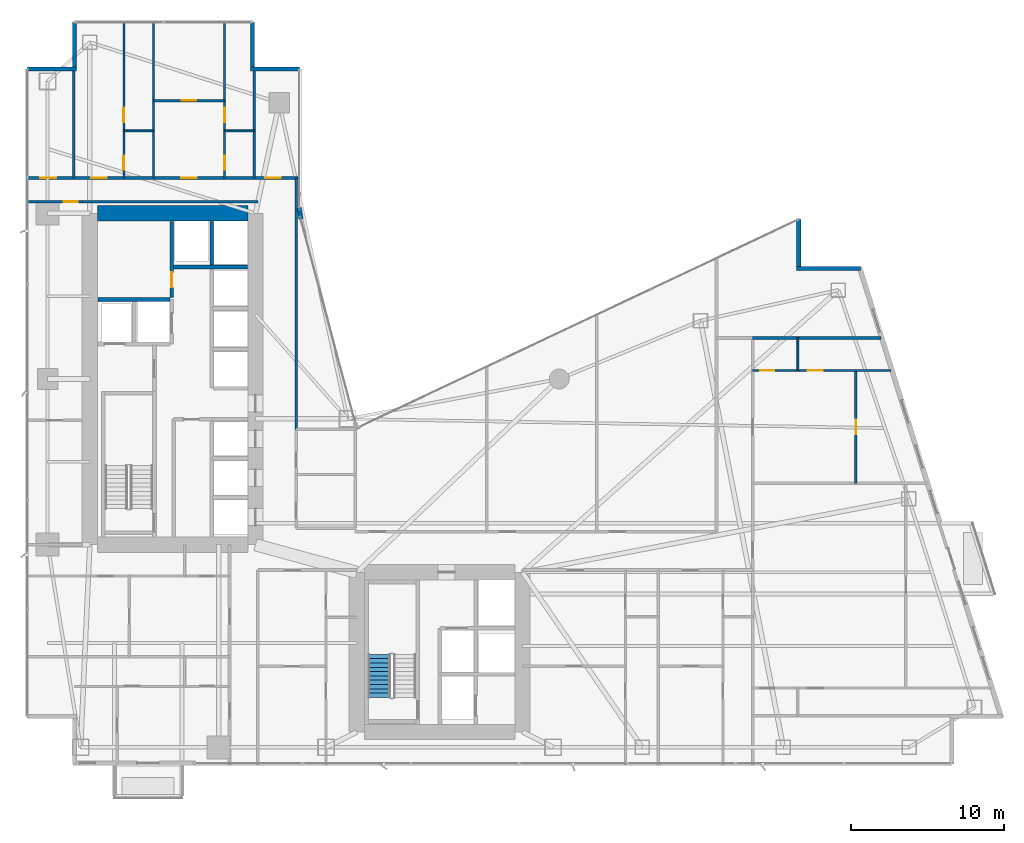
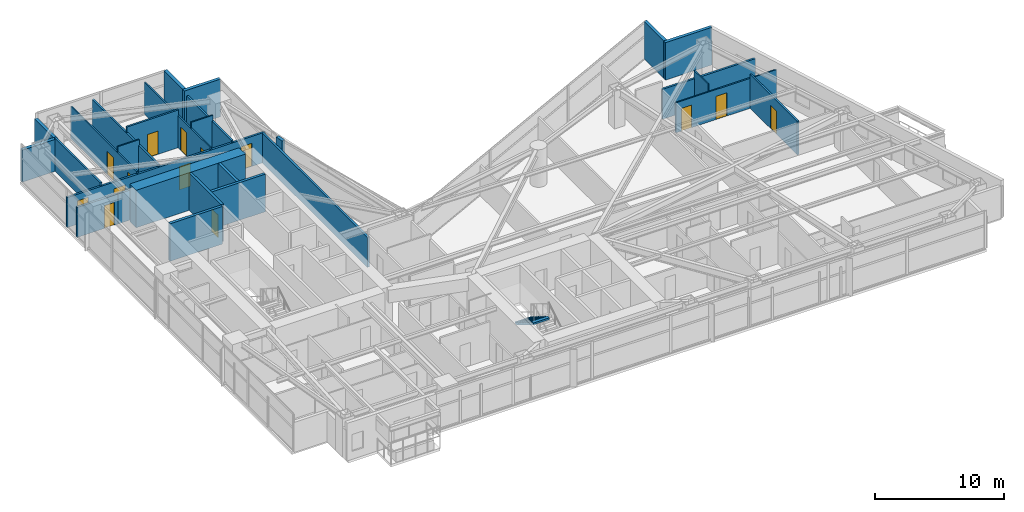
# One storey, part 25 of 29: 28 walls, 14 doors, 1 stair flight, 14 openings, 1 element without a shape of its own.
"""IFC4 building model written with IfcOpenShell, lengths in metres."""

from ifc_helpers import new_model, si_unit, direction, frame, frame_2d, origin, place, context, subcontext, project, spatial, polyline, rectangle, outline, extrude, material, layer, layer_set, type_object, element, fill, aggregate, save


model = new_model("IFC4")

# Units and contexts
model_context = context("Model", 3, precision=1e-05, world=origin(), true_north=direction((0.0, 1.0)))
body_context = subcontext(model_context, "Body", "Model", "MODEL_VIEW")
ifc_project = project(units=[si_unit("LENGTHUNIT", "METRE"), si_unit("AREAUNIT", "SQUARE_METRE"), si_unit("VOLUMEUNIT", "CUBIC_METRE"), si_unit("PLANEANGLEUNIT", "RADIAN"), si_unit("MASSUNIT", "GRAM", prefix="KILO")], contexts=[model_context])

# Site, building, storey
site_placement = place(None, origin())
site = spatial("IfcSite", under=ifc_project, at=site_placement, CompositionType="ELEMENT")
building_placement = place(site_placement, origin())
building = spatial("IfcBuilding", under=site, at=building_placement, Name="Calvorn Quay Hotel", CompositionType="ELEMENT")
storey_placement = place(building_placement, frame((0.0, 0.0, 34.60009765625)))
storey = spatial("IfcBuildingStorey", under=building, at=storey_placement, Name="L07", CompositionType="ELEMENT", Elevation=34.60009765625)

# Wall
ifc_material_1 = material(Name="Concrete C60", Category="concrete")
ifc_layer_1 = layer(ifc_material_1, 1.0)
ifc_layer_set_1 = layer_set([ifc_layer_1], Name="WL-CORE-1000")
wall_type_1 = type_object("IfcWallType", Name="WL-CORE-1000", PredefinedType="SHEAR", material=ifc_layer_set_1)
wall_1_placement = place(storey_placement, frame((4.699951171875, 38.39990234375, 0.0), z_axis=(0.0, 0.0, 1.0), x_axis=(1.0, 0.0, 0.0)))
element("IfcWall", 1, at=wall_1_placement, inside=storey, type_object=wall_type_1, Name="West Core Shear Wall N (L07)", PredefinedType="SHEAR", context=body_context, shape_type="SweptSolid", body=[
    extrude(rectangle(XDim=9.800048828125, YDim=1.0, at=frame_2d((4.89990234375, 0.0))), origin(), (0.0, 0.0, 1.0), 3.559814453125),
])

# Wall, opening, door
ifc_material_2 = material(Name="Acoustic Fireboard Steel-Stud Partition", Category="steel")
ifc_layer_2 = layer(ifc_material_2, 0.179931640625)
ifc_layer_set_2 = layer_set([ifc_layer_2], Name="WL-CORR-FIRE-180")
wall_type_2 = type_object("IfcWallType", Name="WL-CORR-FIRE-180", PredefinedType="PARTITIONING", material=ifc_layer_set_2)
wall_2_placement = place(storey_placement, frame((0.080078125, 39.14990234375, 0.0), z_axis=(0.0, 0.0, 1.0), x_axis=(1.0, 0.0, 0.0)))
wall_2 = element("IfcWall", 2, at=wall_2_placement, inside=storey, type_object=wall_type_2, Name="Partition Wall L07-WL-WBAY-N-DOOR", PredefinedType="PARTITIONING", context=body_context, shape_type="SweptSolid", body=[
    extrude(rectangle(XDim=3.64990234375, YDim=0.179931640625, at=frame_2d((1.824951171875, 0.0))), origin(), (0.0, 0.0, 1.0), 2.83984375),
])
opening_1_placement = place(wall_2_placement, frame((2.429931640625, 0.0, 0.0)))
opening_1 = element("IfcOpeningElement", 3, at=opening_1_placement, cuts=wall_2, Name="Opening D-L07-WBN", PredefinedType="OPENING", context=body_context, shape_type="SweptSolid", body=[
    extrude(rectangle(XDim=0.89990234375, YDim=2.14990234375, at=frame_2d((0.449951171875, 1.074951171875))), frame((0.0, 0.099853515625, 0.0), z_axis=(0.0, -1.0, 0.0), x_axis=(1.0, 0.0, 0.0)), (0.0, 0.0, 1.0), 0.199951171875),
])
ifc_material_3 = material(Name="Moisture-Sealed Timber En-Suite Door", Category="wood")
door_type_1 = type_object("IfcDoorType", Name="DR-ENSUITE-900", OperationType="NOTDEFINED", PredefinedType="DOOR", material=ifc_material_3)
door_1_placement = place(opening_1_placement, origin())
door_1 = element("IfcDoor", 4, at=door_1_placement, inside=storey, type_object=door_type_1, Name="West North Bay Door (L07)", OperationType="SINGLE_SWING_LEFT", OverallHeight=2.14990234375, OverallWidth=0.89990234375, PredefinedType="DOOR", context=body_context, shape_type="SweptSolid", body=[
    extrude(rectangle(XDim=0.89990234375, YDim=2.14990234375, at=frame_2d((0.449951171875, 1.074951171875))), frame((0.0, 0.02490234375, 0.0), z_axis=(0.0, -1.0, 0.0), x_axis=(1.0, 0.0, 0.0)), (0.0, 0.0, 1.0), 0.050048828125),
])
fill(opening_1, door_1)

# Wall, openings, doors
wall_3_placement = place(storey_placement, frame((0.080078125, 40.699951171875, 0.0), z_axis=(0.0, 0.0, 1.0), x_axis=(1.0, 0.0, 0.0)))
wall_3 = element("IfcWall", 5, at=wall_3_placement, inside=storey, type_object=wall_type_2, Name="Partition Wall L07-WL-CORR-NW-N", PredefinedType="PARTITIONING", context=body_context, shape_type="SweptSolid", body=[
    extrude(rectangle(XDim=17.77001953125, YDim=0.179931640625, at=frame_2d((8.885009765625, 0.0))), origin(), (0.0, 0.0, 1.0), 2.83984375),
])
opening_2_placement = place(wall_3_placement, frame((0.89990234375, 0.0, 0.0)))
opening_2 = element("IfcOpeningElement", 6, at=opening_2_placement, cuts=wall_3, Name="Opening D-L07-NWW", PredefinedType="OPENING", context=body_context, shape_type="SweptSolid", body=[
    extrude(rectangle(XDim=1.02001953125, YDim=2.199951171875, at=frame_2d((0.510009765625, 1.10009765625))), frame((0.0, 0.099853515625, 0.0), z_axis=(0.0, -1.0, 0.0), x_axis=(1.0, 0.0, 0.0)), (0.0, 0.0, 1.0), 0.199951171875),
])
opening_3_placement = place(wall_3_placement, frame((4.199951171875, 0.0, 0.0)))
opening_3 = element("IfcOpeningElement", 7, at=opening_3_placement, cuts=wall_3, Name="Opening D-L07-U04", PredefinedType="OPENING", context=body_context, shape_type="SweptSolid", body=[
    extrude(rectangle(XDim=1.02001953125, YDim=2.199951171875, at=frame_2d((0.510009765625, 1.10009765625))), frame((0.0, 0.099853515625, 0.0), z_axis=(0.0, -1.0, 0.0), x_axis=(1.0, 0.0, 0.0)), (0.0, 0.0, 1.0), 0.199951171875),
])
opening_4_placement = place(wall_3_placement, frame((10.080078125, 0.0, 0.0)))
opening_4 = element("IfcOpeningElement", 8, at=opening_4_placement, cuts=wall_3, Name="Opening D-L07-U05", PredefinedType="OPENING", context=body_context, shape_type="SweptSolid", body=[
    extrude(rectangle(XDim=1.02001953125, YDim=2.199951171875, at=frame_2d((0.510009765625, 1.10009765625))), frame((0.0, 0.099853515625, 0.0), z_axis=(0.0, -1.0, 0.0), x_axis=(1.0, 0.0, 0.0)), (0.0, 0.0, 1.0), 0.199951171875),
])
opening_5_placement = place(wall_3_placement, frame((15.550048828125, 0.0, 0.0)))
opening_5 = element("IfcOpeningElement", 9, at=opening_5_placement, cuts=wall_3, Name="Opening D-L07-NWE", PredefinedType="OPENING", context=body_context, shape_type="SweptSolid", body=[
    extrude(rectangle(XDim=1.02001953125, YDim=2.199951171875, at=frame_2d((0.510009765625, 1.10009765625))), frame((0.0, 0.099853515625, 0.0), z_axis=(0.0, -1.0, 0.0), x_axis=(1.0, 0.0, 0.0)), (0.0, 0.0, 1.0), 0.199951171875),
])
ifc_material_4 = material(Name="Solid-Core Walnut Veneer Hotel Fire Door")
door_type_2 = type_object("IfcDoorType", Name="DR-GUEST-ENTRY-1020", OperationType="NOTDEFINED", PredefinedType="DOOR", material=ifc_material_4)
door_2_placement = place(opening_2_placement, origin())
door_2 = element("IfcDoor", 10, at=door_2_placement, inside=storey, type_object=door_type_2, Name="West Corner Study Door (L07)", OperationType="SINGLE_SWING_LEFT", OverallHeight=2.199951171875, OverallWidth=1.02001953125, PredefinedType="DOOR", context=body_context, shape_type="SweptSolid", body=[
    extrude(rectangle(XDim=1.02001953125, YDim=2.199951171875, at=frame_2d((0.510009765625, 1.10009765625))), frame((0.0, 0.02490234375, 0.0), z_axis=(0.0, -1.0, 0.0), x_axis=(1.0, 0.0, 0.0)), (0.0, 0.0, 1.0), 0.050048828125),
])
fill(opening_2, door_2)
door_3_placement = place(opening_3_placement, origin())
door_3 = element("IfcDoor", 11, at=door_3_placement, inside=storey, type_object=door_type_2, Name="North-West Unit Door U04 (L07)", OperationType="SINGLE_SWING_RIGHT", OverallHeight=2.199951171875, OverallWidth=1.02001953125, PredefinedType="DOOR", context=body_context, shape_type="SweptSolid", body=[
    extrude(rectangle(XDim=1.02001953125, YDim=2.199951171875, at=frame_2d((0.510009765625, 1.10009765625))), frame((0.0, 0.02490234375, 0.0), z_axis=(0.0, -1.0, 0.0), x_axis=(1.0, 0.0, 0.0)), (0.0, 0.0, 1.0), 0.050048828125),
])
fill(opening_3, door_3)
door_4_placement = place(opening_4_placement, origin())
door_4 = element("IfcDoor", 12, at=door_4_placement, inside=storey, type_object=door_type_2, Name="North-West Unit Door U05 (L07)", OperationType="SINGLE_SWING_LEFT", OverallHeight=2.199951171875, OverallWidth=1.02001953125, PredefinedType="DOOR", context=body_context, shape_type="SweptSolid", body=[
    extrude(rectangle(XDim=1.02001953125, YDim=2.199951171875, at=frame_2d((0.510009765625, 1.10009765625))), frame((0.0, 0.02490234375, 0.0), z_axis=(0.0, -1.0, 0.0), x_axis=(1.0, 0.0, 0.0)), (0.0, 0.0, 1.0), 0.050048828125),
])
fill(opening_4, door_4)
door_5_placement = place(opening_5_placement, origin())
door_5 = element("IfcDoor", 13, at=door_5_placement, inside=storey, type_object=door_type_2, Name="Inner Court Study Door (L07)", OperationType="SINGLE_SWING_RIGHT", OverallHeight=2.199951171875, OverallWidth=1.02001953125, PredefinedType="DOOR", context=body_context, shape_type="SweptSolid", body=[
    extrude(rectangle(XDim=1.02001953125, YDim=2.199951171875, at=frame_2d((0.510009765625, 1.10009765625))), frame((0.0, 0.02490234375, 0.0), z_axis=(0.0, -1.0, 0.0), x_axis=(1.0, 0.0, 0.0)), (0.0, 0.0, 1.0), 0.050048828125),
])
fill(opening_5, door_5)

# Walls
wall_4_placement = place(storey_placement, frame((17.64990234375, 24.300048828125, 0.0), z_axis=(0.0, 0.0, 1.0), x_axis=(0.0, 1.0, 0.0)))
element("IfcWall", 14, at=wall_4_placement, inside=storey, type_object=wall_type_2, Name="Partition Wall L07-WL-NW-CLOSURE-E", PredefinedType="PARTITIONING", context=body_context, shape_type="SweptSolid", body=[
    extrude(rectangle(XDim=16.39990234375, YDim=0.179931640625, at=frame_2d((8.199951171875, 0.0))), origin(), (0.0, 0.0, 1.0), 2.83984375),
])
wall_5_placement = place(storey_placement, frame((3.679931640625, 39.14990234375, 0.0), z_axis=(0.0, 0.0, 1.0), x_axis=(1.0, 0.0, 0.0)))
element("IfcWall", 15, at=wall_5_placement, inside=storey, type_object=wall_type_2, Name="Partition Wall L07-WL-W-SPUR-S", PredefinedType="PARTITIONING", context=body_context, shape_type="SweptSolid", body=[
    extrude(rectangle(XDim=11.469970703125, YDim=0.179931640625, at=frame_2d((5.73486328125, 0.0))), origin(), (0.0, 0.0, 1.0), 2.83984375),
])
wall_6_placement = place(storey_placement, frame((47.39990234375, 30.280029296875, 0.0), z_axis=(0.0, 0.0, 1.0), x_axis=(1.0, 0.0, 0.0)))
element("IfcWall", 16, at=wall_6_placement, inside=storey, type_object=wall_type_2, Name="Partition Wall L07-WL-TIP-N", PredefinedType="PARTITIONING", context=body_context, shape_type="SweptSolid", body=[
    extrude(rectangle(XDim=8.360107421875, YDim=0.179931640625, at=frame_2d((4.18017578125, 0.0))), origin(), (0.0, 0.0, 1.0), 2.83984375),
])
ifc_material_5 = material(Name="Moisture-Resistant Tile-Backed Partition")
ifc_layer_3 = layer(ifc_material_5, 0.125)
ifc_layer_set_3 = layer_set([ifc_layer_3], Name="WL-ENSUITE-125")
wall_type_3 = type_object("IfcWallType", Name="WL-ENSUITE-125", PredefinedType="PARTITIONING", material=ifc_layer_set_3)
wall_7_placement = place(storey_placement, frame((6.419921875, 43.77001953125, 0.0), z_axis=(0.0, 0.0, 1.0), x_axis=(1.0, 0.0, 0.0)))
element("IfcWall", 17, at=wall_7_placement, inside=storey, type_object=wall_type_3, Name="Partition Wall L07-WL-U04-BDV", PredefinedType="PARTITIONING", context=body_context, shape_type="SweptSolid", body=[
    extrude(rectangle(XDim=1.93017578125, YDim=0.125, at=frame_2d((0.965087890625, 0.0))), origin(), (0.0, 0.0, 1.0), 3.559814453125),
])

# Wall, openings, doors
wall_8_placement = place(storey_placement, frame((6.419921875, 40.699951171875, 0.0), z_axis=(0.0, 0.0, 1.0), x_axis=(0.0, 1.0, 0.0)))
wall_8 = element("IfcWall", 18, at=wall_8_placement, inside=storey, type_object=wall_type_3, Name="Partition Wall L07-WL-U04-BV", PredefinedType="PARTITIONING", context=body_context, shape_type="SweptSolid", body=[
    extrude(rectangle(XDim=10.239990234375, YDim=0.125, at=frame_2d((5.1201171875, 0.0))), origin(), (0.0, 0.0, 1.0), 3.039794921875),
])
opening_6_placement = place(wall_8_placement, frame((0.550048828125, 0.0, 0.0)))
opening_6 = element("IfcOpeningElement", 19, at=opening_6_placement, cuts=wall_8, Name="Opening D-L07-E04", PredefinedType="OPENING", context=body_context, shape_type="SweptSolid", body=[
    extrude(rectangle(XDim=0.89990234375, YDim=2.14990234375, at=frame_2d((0.449951171875, 1.074951171875))), frame((0.0, 0.072509765625, 0.0), z_axis=(0.0, -1.0, 0.0), x_axis=(1.0, 0.0, 0.0)), (0.0, 0.0, 1.0), 0.14501953125),
])
opening_7_placement = place(wall_8_placement, frame((3.6201171875, 0.0, 0.0)))
opening_7 = element("IfcOpeningElement", 20, at=opening_7_placement, cuts=wall_8, Name="Opening D-L07-S04", PredefinedType="OPENING", context=body_context, shape_type="SweptSolid", body=[
    extrude(rectangle(XDim=0.9599609375, YDim=2.199951171875, at=frame_2d((0.47998046875, 1.10009765625))), frame((0.0, 0.072509765625, 0.0), z_axis=(0.0, -1.0, 0.0), x_axis=(1.0, 0.0, 0.0)), (0.0, 0.0, 1.0), 0.14501953125),
])
door_6_placement = place(opening_6_placement, origin())
door_6 = element("IfcDoor", 21, at=door_6_placement, inside=storey, type_object=door_type_1, Name="En-Suite Door 04", OperationType="SINGLE_SWING_LEFT", OverallHeight=2.14990234375, OverallWidth=0.89990234375, PredefinedType="DOOR", context=body_context, shape_type="SweptSolid", body=[
    extrude(rectangle(XDim=0.89990234375, YDim=2.14990234375, at=frame_2d((0.449951171875, 1.074951171875))), frame((0.0, 0.02490234375, 0.0), z_axis=(0.0, -1.0, 0.0), x_axis=(1.0, 0.0, 0.0)), (0.0, 0.0, 1.0), 0.050048828125),
])
fill(opening_6, door_6)
ifc_material_6 = material(Name="Solid Timber Internal Suite Door", Category="wood")
door_type_3 = type_object("IfcDoorType", Name="DR-SUITE-INT-960", OperationType="NOTDEFINED", PredefinedType="DOOR", material=ifc_material_6)
door_7_placement = place(opening_7_placement, origin())
door_7 = element("IfcDoor", 22, at=door_7_placement, inside=storey, type_object=door_type_3, Name="Harbour Tea Room Door 04", OperationType="SINGLE_SWING_RIGHT", OverallHeight=2.199951171875, OverallWidth=0.9599609375, PredefinedType="DOOR", context=body_context, shape_type="SweptSolid", body=[
    extrude(rectangle(XDim=0.9599609375, YDim=2.199951171875, at=frame_2d((0.47998046875, 1.10009765625))), frame((0.0, 0.02490234375, 0.0), z_axis=(0.0, -1.0, 0.0), x_axis=(1.0, 0.0, 0.0)), (0.0, 0.0, 1.0), 0.050048828125),
])
fill(opening_7, door_7)

# Wall
wall_9_placement = place(storey_placement, frame((12.989990234375, 43.77001953125, 0.0), z_axis=(0.0, 0.0, 1.0), x_axis=(1.0, 0.0, 0.0)))
element("IfcWall", 23, at=wall_9_placement, inside=storey, type_object=wall_type_3, Name="Partition Wall L07-WL-U05-BDV", PredefinedType="PARTITIONING", context=body_context, shape_type="SweptSolid", body=[
    extrude(rectangle(XDim=1.929931640625, YDim=0.125, at=frame_2d((0.96484375, 0.0))), origin(), (0.0, 0.0, 1.0), 3.559814453125),
])

# Wall, openings, doors
wall_10_placement = place(storey_placement, frame((12.989990234375, 40.699951171875, 0.0), z_axis=(0.0, 0.0, 1.0), x_axis=(0.0, 1.0, 0.0)))
wall_10 = element("IfcWall", 24, at=wall_10_placement, inside=storey, type_object=wall_type_3, Name="Partition Wall L07-WL-U05-BV", PredefinedType="PARTITIONING", context=body_context, shape_type="SweptSolid", body=[
    extrude(rectangle(XDim=10.239990234375, YDim=0.125, at=frame_2d((5.1201171875, 0.0))), origin(), (0.0, 0.0, 1.0), 3.039794921875),
])
opening_8_placement = place(wall_10_placement, frame((0.550048828125, 0.0, 0.0)))
opening_8 = element("IfcOpeningElement", 25, at=opening_8_placement, cuts=wall_10, Name="Opening D-L07-E05", PredefinedType="OPENING", context=body_context, shape_type="SweptSolid", body=[
    extrude(rectangle(XDim=0.89990234375, YDim=2.14990234375, at=frame_2d((0.449951171875, 1.074951171875))), frame((0.0, 0.072509765625, 0.0), z_axis=(0.0, -1.0, 0.0), x_axis=(1.0, 0.0, 0.0)), (0.0, 0.0, 1.0), 0.14501953125),
])
opening_9_placement = place(wall_10_placement, frame((3.6201171875, 0.0, 0.0)))
opening_9 = element("IfcOpeningElement", 26, at=opening_9_placement, cuts=wall_10, Name="Opening D-L07-S05", PredefinedType="OPENING", context=body_context, shape_type="SweptSolid", body=[
    extrude(rectangle(XDim=0.9599609375, YDim=2.199951171875, at=frame_2d((0.47998046875, 1.10009765625))), frame((0.0, 0.072509765625, 0.0), z_axis=(0.0, -1.0, 0.0), x_axis=(1.0, 0.0, 0.0)), (0.0, 0.0, 1.0), 0.14501953125),
])
door_8_placement = place(opening_8_placement, origin())
door_8 = element("IfcDoor", 27, at=door_8_placement, inside=storey, type_object=door_type_1, Name="En-Suite Door 05", OperationType="SINGLE_SWING_LEFT", OverallHeight=2.14990234375, OverallWidth=0.89990234375, PredefinedType="DOOR", context=body_context, shape_type="SweptSolid", body=[
    extrude(rectangle(XDim=0.89990234375, YDim=2.14990234375, at=frame_2d((0.449951171875, 1.074951171875))), frame((0.0, 0.02490234375, 0.0), z_axis=(0.0, -1.0, 0.0), x_axis=(1.0, 0.0, 0.0)), (0.0, 0.0, 1.0), 0.050048828125),
])
fill(opening_8, door_8)
door_9_placement = place(opening_9_placement, origin())
door_9 = element("IfcDoor", 28, at=door_9_placement, inside=storey, type_object=door_type_3, Name="Harbour Tea Room Door 05", OperationType="SINGLE_SWING_RIGHT", OverallHeight=2.199951171875, OverallWidth=0.9599609375, PredefinedType="DOOR", context=body_context, shape_type="SweptSolid", body=[
    extrude(rectangle(XDim=0.9599609375, YDim=2.199951171875, at=frame_2d((0.47998046875, 1.10009765625))), frame((0.0, 0.02490234375, 0.0), z_axis=(0.0, -1.0, 0.0), x_axis=(1.0, 0.0, 0.0)), (0.0, 0.0, 1.0), 0.050048828125),
])
fill(opening_9, door_9)

# Wall
wall_11_placement = place(storey_placement, frame((50.35009765625, 28.14990234375, 0.0), z_axis=(0.0, 0.0, 1.0), x_axis=(0.0, 1.0, 0.0)))
element("IfcWall", 29, at=wall_11_placement, inside=storey, type_object=wall_type_3, Name="Partition Wall L07-WL-U09-BDV", PredefinedType="PARTITIONING", context=body_context, shape_type="SweptSolid", body=[
    extrude(rectangle(XDim=2.130126953125, YDim=0.125, at=frame_2d((1.06494140625, 0.0))), origin(), (0.0, 0.0, 1.0), 3.559814453125),
])

# Wall, openings, doors
wall_12_placement = place(storey_placement, frame((47.39990234375, 28.14990234375, 0.0), z_axis=(0.0, 0.0, 1.0), x_axis=(1.0, 0.0, 0.0)))
wall_12 = element("IfcWall", 30, at=wall_12_placement, inside=storey, type_object=wall_type_3, Name="Partition Wall L07-WL-U09-BH", PredefinedType="PARTITIONING", context=body_context, shape_type="SweptSolid", body=[
    extrude(rectangle(XDim=9.030029296875, YDim=0.125, at=frame_2d((4.51513671875, 0.0))), origin(), (0.0, 0.0, 1.0), 2.83984375),
])
opening_10_placement = place(wall_12_placement, frame((0.5, 0.0, 0.0)))
opening_10 = element("IfcOpeningElement", 31, at=opening_10_placement, cuts=wall_12, Name="Opening D-L07-E09", PredefinedType="OPENING", context=body_context, shape_type="SweptSolid", body=[
    extrude(rectangle(XDim=0.89990234375, YDim=2.14990234375, at=frame_2d((0.449951171875, 1.074951171875))), frame((0.0, 0.072509765625, 0.0), z_axis=(0.0, -1.0, 0.0), x_axis=(1.0, 0.0, 0.0)), (0.0, 0.0, 1.0), 0.14501953125),
])
opening_11_placement = place(wall_12_placement, frame((3.60009765625, 0.0, 0.0)))
opening_11 = element("IfcOpeningElement", 32, at=opening_11_placement, cuts=wall_12, Name="Opening D-L07-S09", PredefinedType="OPENING", context=body_context, shape_type="SweptSolid", body=[
    extrude(rectangle(XDim=0.9599609375, YDim=2.199951171875, at=frame_2d((0.47998046875, 1.10009765625))), frame((0.0, 0.072509765625, 0.0), z_axis=(0.0, -1.0, 0.0), x_axis=(1.0, 0.0, 0.0)), (0.0, 0.0, 1.0), 0.14501953125),
])
door_10_placement = place(opening_10_placement, origin())
door_10 = element("IfcDoor", 33, at=door_10_placement, inside=storey, type_object=door_type_1, Name="En-Suite Door 09", OperationType="SINGLE_SWING_LEFT", OverallHeight=2.14990234375, OverallWidth=0.89990234375, PredefinedType="DOOR", context=body_context, shape_type="SweptSolid", body=[
    extrude(rectangle(XDim=0.89990234375, YDim=2.14990234375, at=frame_2d((0.449951171875, 1.074951171875))), frame((0.0, 0.02490234375, 0.0), z_axis=(0.0, -1.0, 0.0), x_axis=(1.0, 0.0, 0.0)), (0.0, 0.0, 1.0), 0.050048828125),
])
fill(opening_10, door_10)
door_11_placement = place(opening_11_placement, origin())
door_11 = element("IfcDoor", 34, at=door_11_placement, inside=storey, type_object=door_type_3, Name="Harbour Tea Room Door 09", OperationType="SINGLE_SWING_RIGHT", OverallHeight=2.199951171875, OverallWidth=0.9599609375, PredefinedType="DOOR", context=body_context, shape_type="SweptSolid", body=[
    extrude(rectangle(XDim=0.9599609375, YDim=2.199951171875, at=frame_2d((0.47998046875, 1.10009765625))), frame((0.0, 0.02490234375, 0.0), z_axis=(0.0, -1.0, 0.0), x_axis=(1.0, 0.0, 0.0)), (0.0, 0.0, 1.0), 0.050048828125),
])
fill(opening_11, door_11)

# Walls
ifc_material_7 = material(Name="Concrete C40", Category="concrete")
ifc_layer_4 = layer(ifc_material_7, 0.320068359375)
ifc_layer_set_4 = layer_set([ifc_layer_4], Name="WL-EXT-SPANDREL-320")
wall_type_4 = type_object("IfcWallType", Name="WL-EXT-SPANDREL-320", PredefinedType="SOLIDWALL", material=ifc_layer_set_4)
wall_13_placement = place(storey_placement, frame((17.9619140625, 38.030029296875, 0.0), z_axis=(0.0, 0.0, 1.0), x_axis=(-0.15141125477, 0.988470855377, 0.0)))
element("IfcWall", 35, at=wall_13_placement, inside=storey, type_object=wall_type_4, Name="Inner Court Corner Pier L07-ICJ2", PredefinedType="SOLIDWALL", context=body_context, shape_type="SweptSolid", body=[
    extrude(rectangle(XDim=0.738525390625, YDim=0.280029296875, at=frame_2d((0.369140625, 0.0))), origin(), (0.0, 0.0, 1.0), 3.559814453125),
])
wall_14_placement = place(storey_placement, frame((54.43994140625, 34.800048828125, 0.0), z_axis=(0.0, 0.0, 1.0), x_axis=(-1.0, 0.0, 0.0)))
element("IfcWall", 36, at=wall_14_placement, inside=storey, type_object=wall_type_4, Name="Notched Corner Spandrel L07-NE1", PredefinedType="SOLIDWALL", context=body_context, shape_type="SweptSolid", body=[
    extrude(rectangle(XDim=4.179931640625, YDim=0.280029296875, at=frame_2d((2.08984375, 0.0))), origin(), (0.0, 0.0, 1.0), 3.559814453125),
])
wall_15_placement = place(storey_placement, frame((50.39990234375, 34.93994140625, 0.0), z_axis=(0.0, 0.0, 1.0), x_axis=(0.0, 1.0, 0.0)))
element("IfcWall", 37, at=wall_15_placement, inside=storey, type_object=wall_type_4, Name="Notched Corner Spandrel L07-NE2", PredefinedType="SOLIDWALL", context=body_context, shape_type="SweptSolid", body=[
    extrude(rectangle(XDim=3.10009765625, YDim=0.280029296875, at=frame_2d((1.550048828125, 0.0))), origin(), (0.0, 0.0, 1.0), 3.559814453125),
])
wall_16_placement = place(storey_placement, frame((17.89990234375, 47.800048828125, 0.0), z_axis=(0.0, 0.0, 1.0), x_axis=(-1.0, 0.0, 0.0)))
element("IfcWall", 38, at=wall_16_placement, inside=storey, type_object=wall_type_4, Name="Notched Corner Spandrel L07-NWE1", PredefinedType="SOLIDWALL", context=body_context, shape_type="SweptSolid", body=[
    extrude(rectangle(XDim=3.239990234375, YDim=0.280029296875, at=frame_2d((1.6201171875, 0.0))), origin(), (0.0, 0.0, 1.0), 3.559814453125),
])
wall_17_placement = place(storey_placement, frame((14.800048828125, 47.93994140625, 0.0), z_axis=(0.0, 0.0, 1.0), x_axis=(0.0, 1.0, 0.0)))
element("IfcWall", 39, at=wall_17_placement, inside=storey, type_object=wall_type_4, Name="Notched Corner Spandrel L07-NWE2", PredefinedType="SOLIDWALL", context=body_context, shape_type="SweptSolid", body=[
    extrude(rectangle(XDim=2.93994140625, YDim=0.280029296875, at=frame_2d((1.469970703125, 0.0))), origin(), (0.0, 0.0, 1.0), 3.559814453125),
])
wall_18_placement = place(storey_placement, frame((3.199951171875, 50.8798828125, 0.0), z_axis=(0.0, 0.0, 1.0), x_axis=(0.0, -1.0, 0.0)))
element("IfcWall", 40, at=wall_18_placement, inside=storey, type_object=wall_type_4, Name="Notched Corner Spandrel L07-NW1", PredefinedType="SOLIDWALL", context=body_context, shape_type="SweptSolid", body=[
    extrude(rectangle(XDim=2.93994140625, YDim=0.280029296875, at=frame_2d((1.469970703125, 0.0))), origin(), (0.0, 0.0, 1.0), 3.039794921875),
])
wall_19_placement = place(storey_placement, frame((3.340087890625, 47.800048828125, 0.0), z_axis=(0.0, 0.0, 1.0), x_axis=(-1.0, 0.0, 0.0)))
element("IfcWall", 41, at=wall_19_placement, inside=storey, type_object=wall_type_4, Name="Notched Corner Spandrel L07-NW2", PredefinedType="SOLIDWALL", context=body_context, shape_type="SweptSolid", body=[
    extrude(rectangle(XDim=3.219970703125, YDim=0.280029296875, at=frame_2d((1.60986328125, 0.0))), origin(), (0.0, 0.0, 1.0), 3.039794921875),
])
ifc_material_8 = material(Name="Double-Stud Acoustic Gypsum Partition")
ifc_layer_5 = layer(ifc_material_8, 0.159912109375)
ifc_layer_set_5 = layer_set([ifc_layer_5], Name="WL-INTERSUITE-160")
wall_type_5 = type_object("IfcWallType", Name="WL-INTERSUITE-160", PredefinedType="PARTITIONING", material=ifc_layer_set_5)
wall_20_placement = place(storey_placement, frame((3.14990234375, 40.699951171875, 0.0), z_axis=(0.0, 0.0, 1.0), x_axis=(0.0, 1.0, 0.0)))
element("IfcWall", 42, at=wall_20_placement, inside=storey, type_object=wall_type_5, Name="Partition Wall L07-WL-NW-DIV-W0", PredefinedType="PARTITIONING", context=body_context, shape_type="SweptSolid", body=[
    extrude(rectangle(XDim=7.10009765625, YDim=0.159912109375, at=frame_2d((3.550048828125, 0.0))), origin(), (0.0, 0.0, 1.0), 3.139892578125),
])
wall_21_placement = place(storey_placement, frame((14.919921875, 40.699951171875, 0.0), z_axis=(0.0, 0.0, 1.0), x_axis=(0.0, 1.0, 0.0)))
element("IfcWall", 43, at=wall_21_placement, inside=storey, type_object=wall_type_5, Name="Partition Wall L07-WL-NW-DIV-E0", PredefinedType="PARTITIONING", context=body_context, shape_type="SweptSolid", body=[
    extrude(rectangle(XDim=7.10009765625, YDim=0.159912109375, at=frame_2d((3.550048828125, 0.0))), origin(), (0.0, 0.0, 1.0), 3.039794921875),
])

# Wall, opening, door
wall_22_placement = place(storey_placement, frame((8.35009765625, 45.75, 0.0), z_axis=(0.0, 0.0, 1.0), x_axis=(1.0, 0.0, 0.0)))
wall_22 = element("IfcWall", 44, at=wall_22_placement, inside=storey, type_object=wall_type_5, Name="Partition Wall L07-WL-U05-MSP", PredefinedType="PARTITIONING", context=body_context, shape_type="SweptSolid", body=[
    extrude(rectangle(XDim=4.639892578125, YDim=0.159912109375, at=frame_2d((2.31982421875, 0.0))), origin(), (0.0, 0.0, 1.0), 3.559814453125),
])
opening_12_placement = place(wall_22_placement, frame((1.840087890625, 0.0, 0.0)))
opening_12 = element("IfcOpeningElement", 45, at=opening_12_placement, cuts=wall_22, Name="Opening D-L07-M05", PredefinedType="OPENING", context=body_context, shape_type="SweptSolid", body=[
    extrude(rectangle(XDim=0.9599609375, YDim=2.199951171875, at=frame_2d((0.47998046875, 1.10009765625))), frame((0.0, 0.08984375, 0.0), z_axis=(0.0, -1.0, 0.0), x_axis=(1.0, 0.0, 0.0)), (0.0, 0.0, 1.0), 0.179931640625),
])
door_12_placement = place(opening_12_placement, origin())
door_12 = element("IfcDoor", 46, at=door_12_placement, inside=storey, type_object=door_type_3, Name="Suite Bedroom Door 05", OperationType="SINGLE_SWING_LEFT", OverallHeight=2.199951171875, OverallWidth=0.9599609375, PredefinedType="DOOR", context=body_context, shape_type="SweptSolid", body=[
    extrude(rectangle(XDim=0.9599609375, YDim=2.199951171875, at=frame_2d((0.47998046875, 1.10009765625))), frame((0.0, 0.02490234375, 0.0), z_axis=(0.0, -1.0, 0.0), x_axis=(1.0, 0.0, 0.0)), (0.0, 0.0, 1.0), 0.050048828125),
])
fill(opening_12, door_12)

# Wall
wall_23_placement = place(storey_placement, frame((8.35009765625, 40.699951171875, 0.0), z_axis=(0.0, 0.0, 1.0), x_axis=(0.0, 1.0, 0.0)))
element("IfcWall", 47, at=wall_23_placement, inside=storey, type_object=wall_type_5, Name="Partition Wall L07-WL-NW-DIV-1", PredefinedType="PARTITIONING", context=body_context, shape_type="SweptSolid", body=[
    extrude(rectangle(XDim=10.239990234375, YDim=0.159912109375, at=frame_2d((5.1201171875, 0.0))), origin(), (0.0, 0.0, 1.0), 3.039794921875),
])

# Wall, opening, door
wall_24_placement = place(storey_placement, frame((54.1298828125, 20.800048828125, 0.0), z_axis=(0.0, 0.0, 1.0), x_axis=(0.0, 1.0, 0.0)))
wall_24 = element("IfcWall", 48, at=wall_24_placement, inside=storey, type_object=wall_type_5, Name="Partition Wall L07-WL-U09-MSP", PredefinedType="PARTITIONING", context=body_context, shape_type="SweptSolid", body=[
    extrude(rectangle(XDim=7.349853515625, YDim=0.159912109375, at=frame_2d((3.6748046875, 0.0))), origin(), (0.0, 0.0, 1.0), 3.18994140625),
])
opening_13_placement = place(wall_24_placement, frame((3.18994140625, 0.0, 0.0)))
opening_13 = element("IfcOpeningElement", 49, at=opening_13_placement, cuts=wall_24, Name="Opening D-L07-M09", PredefinedType="OPENING", context=body_context, shape_type="SweptSolid", body=[
    extrude(rectangle(XDim=0.9599609375, YDim=2.199951171875, at=frame_2d((0.47998046875, 1.10009765625))), frame((0.0, 0.08984375, 0.0), z_axis=(0.0, -1.0, 0.0), x_axis=(1.0, 0.0, 0.0)), (0.0, 0.0, 1.0), 0.179931640625),
])
door_13_placement = place(opening_13_placement, origin())
door_13 = element("IfcDoor", 50, at=door_13_placement, inside=storey, type_object=door_type_3, Name="Suite Bedroom Door 09", OperationType="SINGLE_SWING_LEFT", OverallHeight=2.199951171875, OverallWidth=0.9599609375, PredefinedType="DOOR", context=body_context, shape_type="SweptSolid", body=[
    extrude(rectangle(XDim=0.9599609375, YDim=2.199951171875, at=frame_2d((0.47998046875, 1.10009765625))), frame((0.0, 0.02490234375, 0.0), z_axis=(0.0, -1.0, 0.0), x_axis=(1.0, 0.0, 0.0)), (0.0, 0.0, 1.0), 0.050048828125),
])
fill(opening_13, door_13)

ifc_material_9 = material(Name="Autoclaved Aerated Masonry Block", Category="masonry")
ifc_layer_6 = layer(ifc_material_9, 0.219970703125)
ifc_layer_set_6 = layer_set([ifc_layer_6], Name="WL-LOBBY-FIRE-220")
wall_type_6 = type_object("IfcWallType", Name="WL-LOBBY-FIRE-220", PredefinedType="SOLIDWALL", material=ifc_layer_set_6)
wall_25_placement = place(storey_placement, frame((9.5400390625, 32.919921875, 0.0), z_axis=(0.0, 0.0, 1.0), x_axis=(0.0, 1.0, 0.0)))
wall_25 = element("IfcWall", 51, at=wall_25_placement, inside=storey, type_object=wall_type_6, Name="Partition Wall L07-WL-CWW-K-E", PredefinedType="SOLIDWALL", context=body_context, shape_type="SweptSolid", body=[
    extrude(rectangle(XDim=4.9599609375, YDim=0.219970703125, at=frame_2d((2.47998046875, 0.0))), origin(), (0.0, 0.0, 1.0), 3.559814453125),
])
opening_14_placement = place(wall_25_placement, frame((0.64990234375, 0.0, 0.0)))
opening_14 = element("IfcOpeningElement", 52, at=opening_14_placement, cuts=wall_25, Name="Opening D-L07-CK1", PredefinedType="OPENING", context=body_context, shape_type="SweptSolid", body=[
    extrude(rectangle(XDim=0.97998046875, YDim=2.14990234375, at=frame_2d((0.489990234375, 1.074951171875))), frame((0.0, 0.119873046875, 0.0), z_axis=(0.0, -1.0, 0.0), x_axis=(1.0, 0.0, 0.0)), (0.0, 0.0, 1.0), 0.239990234375),
])
ifc_material_10 = material(Name="Painted Steel Housekeeping/Riser Fire Door", Category="steel")
door_type_4 = type_object("IfcDoorType", Name="DR-SERVICE-980", OperationType="NOTDEFINED", PredefinedType="DOOR", material=ifc_material_10)
door_14_placement = place(opening_14_placement, origin())
door_14 = element("IfcDoor", 53, at=door_14_placement, inside=storey, type_object=door_type_4, Name="Core Linen Room Door (L07)", OperationType="SINGLE_SWING_LEFT", OverallHeight=2.14990234375, OverallWidth=0.97998046875, PredefinedType="DOOR", context=body_context, shape_type="SweptSolid", body=[
    extrude(rectangle(XDim=0.97998046875, YDim=2.14990234375, at=frame_2d((0.489990234375, 1.074951171875))), frame((0.0, 0.02490234375, 0.0), z_axis=(0.0, -1.0, 0.0), x_axis=(1.0, 0.0, 0.0)), (0.0, 0.0, 1.0), 0.050048828125),
])
fill(opening_14, door_14)

# Walls
ifc_material_11 = material(Name="Concrete C40", Category="concrete")
ifc_layer_7 = layer(ifc_material_11, 0.239990234375)
ifc_layer_set_7 = layer_set([ifc_layer_7], Name="WL-SHAFT-240")
wall_type_7 = type_object("IfcWallType", Name="WL-SHAFT-240", PredefinedType="SOLIDWALL", material=ifc_layer_set_7)
wall_26_placement = place(storey_placement, frame((4.719970703125, 32.780029296875, 0.0), z_axis=(0.0, 0.0, 1.0), x_axis=(1.0, 0.0, 0.0)))
element("IfcWall", 54, at=wall_26_placement, inside=storey, type_object=wall_type_7, Name="Partition Wall L07-WL-CWW-SLW-N", PredefinedType="SOLIDWALL", context=body_context, shape_type="SweptSolid", body=[
    extrude(rectangle(XDim=4.699951171875, YDim=0.239990234375, at=frame_2d((2.35009765625, 0.0))), origin(), (0.0, 0.0, 1.0), 3.559814453125),
])
wall_27_placement = place(storey_placement, frame((9.659912109375, 34.89990234375, 0.0), z_axis=(0.0, 0.0, 1.0), x_axis=(1.0, 0.0, 0.0)))
element("IfcWall", 55, at=wall_27_placement, inside=storey, type_object=wall_type_7, Name="Partition Wall L07-WL-CWW-PLH-S", PredefinedType="SOLIDWALL", context=body_context, shape_type="SweptSolid", body=[
    extrude(rectangle(XDim=4.820068359375, YDim=0.239990234375, at=frame_2d((2.41015625, 0.0))), origin(), (0.0, 0.0, 1.0), 3.559814453125),
])
wall_28_placement = place(storey_placement, frame((12.14990234375, 35.02001953125, 0.0), z_axis=(0.0, 0.0, 1.0), x_axis=(0.0, 1.0, 0.0)))
element("IfcWall", 56, at=wall_28_placement, inside=storey, type_object=wall_type_7, Name="Partition Wall L07-WL-CWW-PLH-DIV", PredefinedType="SOLIDWALL", context=body_context, shape_type="SweptSolid", body=[
    extrude(rectangle(XDim=2.85986328125, YDim=0.239990234375, at=frame_2d((1.429931640625, 0.0))), origin(), (0.0, 0.0, 1.0), 3.559814453125),
])

# Stair, stair flight
ifc_material_12 = material(Name="Concrete C40", Category="concrete")
stair_type = type_object("IfcStairType", Name="STR-CORE-DOGLEG", PredefinedType="HALF_TURN_STAIR", material=ifc_material_12)
stair_placement = place(storey_placement, origin())
stair = element("IfcStair", 57, at=stair_placement, inside=storey, type_object=stair_type, Name="L07 ST-E", PredefinedType="HALF_TURN_STAIR")
ifc_material_13 = material(Name="Concrete C40", Category="concrete")
stair_flight_type = type_object("IfcStairFlightType", Name="FLT-CORE-1550", PredefinedType="STRAIGHT", material=ifc_material_13)
stair_flight_placement = place(storey_placement, frame((23.074951171875, 9.64990234375, 1.89990234375), z_axis=(0.0, 0.0, 1.0), x_axis=(0.0, -1.0, 0.0)))
stair_flight = element("IfcStairFlight", 58, at=stair_flight_placement, type_object=stair_flight_type, Name="ST-E flight 2", NumberOfRisers=11, NumberOfTreads=10, PredefinedType="STRAIGHT", RiserHeight=0.172727273, TreadLength=0.28, context=body_context, shape_type="SweptSolid", body=[
    extrude(outline(polyline([(0.0, 0.0), (0.0, 0.172607421875), (0.280029296875, 0.172607421875), (0.280029296875, 0.345458984375), (0.56005859375, 0.345458984375), (0.56005859375, 0.51806640625), (0.840087890625, 0.51806640625), (0.840087890625, 0.69091796875), (1.1201171875, 0.69091796875), (1.1201171875, 0.863525390625), (1.39990234375, 0.863525390625), (1.39990234375, 1.036376953125), (1.679931640625, 1.036376953125), (1.679931640625, 1.208984375), (1.9599609375, 1.208984375), (1.9599609375, 1.3818359375), (2.239990234375, 1.3818359375), (2.239990234375, 1.554443359375), (2.52001953125, 1.554443359375), (2.52001953125, 1.727294921875), (2.800048828125, 1.727294921875), (2.800048828125, 1.89990234375), (2.800048828125, 1.551025390625), (0.285400390625, 0.0), (0.0, 0.0)])), frame((0.0, 0.72509765625, 0.0), z_axis=(0.0, -1.0, 0.0), x_axis=(1.0, 0.0, 0.0)), (0.0, 0.0, 1.0), 1.449951171875),
])
aggregate(stair, [stair_flight])

save(model, "model.ifc")
